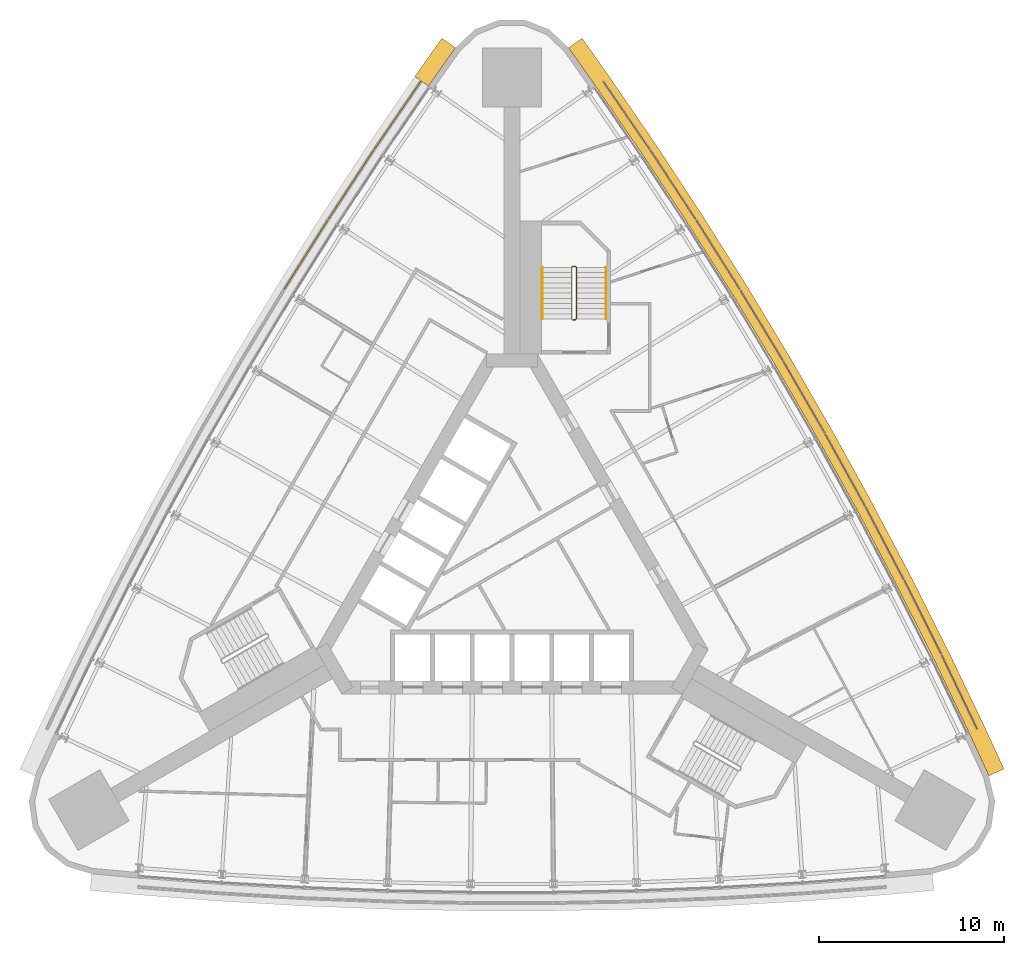
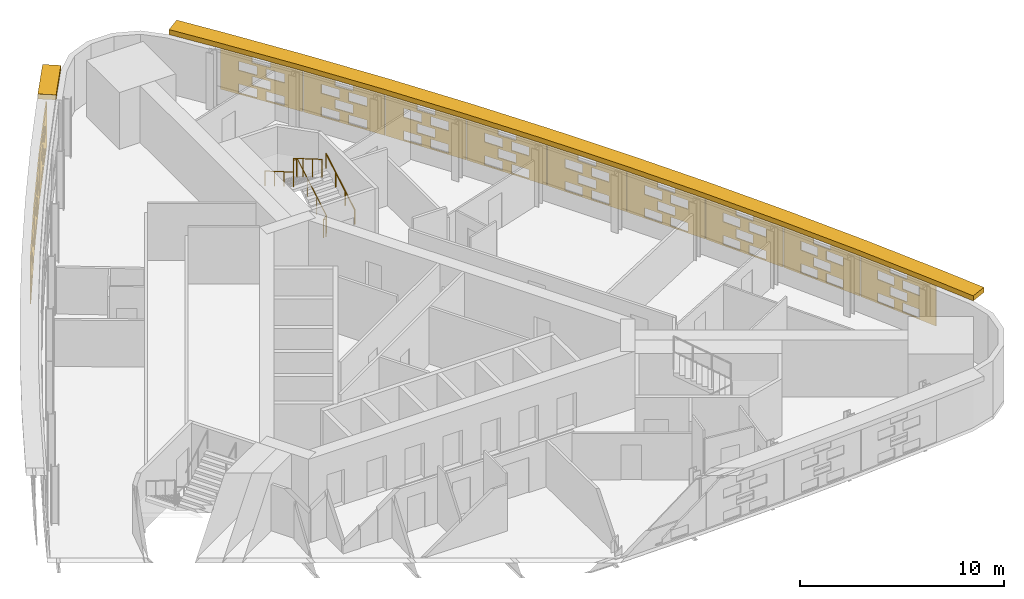
# One storey, part 14 of 14: 14 shading devices, 3 railings.
"""IFC4 building model written with IfcOpenShell, lengths in metres."""

from ifc_helpers import new_model, si_unit, direction, frame, origin, origin_2d, place, context, subcontext, project, spatial, polyline, circle, outline, extrude, material, material_profile, profile_set, type_object, element, save


model = new_model("IFC4")

# Units and contexts
model_context = context("Model", 3, precision=1e-05, world=origin(), true_north=direction((0.0, 1.0)))
body_context = subcontext(model_context, "Body", "Model", "MODEL_VIEW")
ifc_project = project(units=[si_unit("LENGTHUNIT", "METRE"), si_unit("AREAUNIT", "SQUARE_METRE"), si_unit("VOLUMEUNIT", "CUBIC_METRE"), si_unit("PLANEANGLEUNIT", "RADIAN"), si_unit("MASSUNIT", "GRAM", prefix="KILO")], contexts=[model_context])

# Site, building, storey
site_placement = place(None, origin())
site = spatial("IfcSite", under=ifc_project, at=site_placement, CompositionType="ELEMENT")
building_placement = place(site_placement, origin())
building = spatial("IfcBuilding", under=site, at=building_placement, Name="Noor Cloister Tower", CompositionType="ELEMENT")
storey_placement = place(building_placement, frame((0.0, 0.0, 72.60009765625)))
storey = spatial("IfcBuildingStorey", under=building, at=storey_placement, Name="L18", CompositionType="ELEMENT", Elevation=72.60009765625)

# Shading devices
ifc_material_1 = material(Name="Limestone", Category="masonry")
ifc_material_profile = material_profile(ifc_material_1, outline(polyline([(-2.22998046875, -1.35009765625), (2.22998046875, -1.35009765625), (2.22998046875, 1.35009765625), (-2.22998046875, 1.35009765625), (-2.22998046875, -1.35009765625)]), holes=[polyline([(-1.25, -1.282470703125), (-0.25, -1.282470703125), (-0.25, -0.742431640625), (-1.25, -0.742431640625), (-1.25, -1.282470703125)]), polyline([(0.25, -1.282470703125), (1.25, -1.282470703125), (1.25, -0.742431640625), (0.25, -0.742431640625), (0.25, -1.282470703125)]), polyline([(-0.5, -0.607421875), (0.5, -0.607421875), (0.5, -0.0673828125), (-0.5, -0.0673828125), (-0.5, -0.607421875)]), polyline([(-1.25, 0.0673828125), (-0.25, 0.0673828125), (-0.25, 0.607421875), (-1.25, 0.607421875), (-1.25, 0.0673828125)]), polyline([(0.25, 0.0673828125), (1.25, 0.0673828125), (1.25, 0.607421875), (0.25, 0.607421875), (0.25, 0.0673828125)]), polyline([(-0.5, 0.742431640625), (0.5, 0.742431640625), (0.5, 1.282470703125), (-0.5, 1.282470703125), (-0.5, 0.742431640625)])]), Name="Woven screen 28 percent open")
ifc_profile_set = profile_set([ifc_material_profile], Name="Limestone")
shading_device_type_1 = type_object("IfcShadingDeviceType", Name="SCREEN woven limestone 28 percent open", PredefinedType="USERDEFINED", material=ifc_profile_set)
for number, where, z_axis, x_axis, name in (
    (1, (-6.167236328125, 24.36376953125, 1.849853515625), (-0.825107815773, 0.564975302426, 0.0), (-0.564975302426, -0.825107815773, 0.0), "SCREEN L18 1"),
    (2, (-8.6796875, 20.620361328125, 1.849853515625), (-0.836396944636, 0.548124211291, 0.0), (-0.548124211291, -0.836396944636, 0.0), "SCREEN L18 2"),
    (3, (-11.11962890625, 16.8291015625, 1.849853515625), (-0.846164898331, 0.53292116193, 0.0), (-0.53292116193, -0.846164898331, 0.0), "SCREEN L18 3"),
):
    element("IfcShadingDevice", number, at=place(storey_placement, frame(where, z_axis=z_axis, x_axis=x_axis)), inside=storey, type_object=shading_device_type_1, Name=name, ObjectType="SCREEN", PredefinedType="USERDEFINED", context=body_context, shape_type="SweptSolid", body=[
        extrude(outline(polyline([(-2.22998046875, -1.35009765625), (2.22998046875, -1.35009765625), (2.22998046875, 1.35009765625), (-2.22998046875, 1.35009765625), (-2.22998046875, -1.35009765625)]), holes=[polyline([(-1.25, -1.282470703125), (-0.25, -1.282470703125), (-0.25, -0.742431640625), (-1.25, -0.742431640625), (-1.25, -1.282470703125)]), polyline([(0.25, -1.282470703125), (1.25, -1.282470703125), (1.25, -0.742431640625), (0.25, -0.742431640625), (0.25, -1.282470703125)]), polyline([(-0.5, -0.607421875), (0.5, -0.607421875), (0.5, -0.0673828125), (-0.5, -0.0673828125), (-0.5, -0.607421875)]), polyline([(-1.25, 0.0673828125), (-0.25, 0.0673828125), (-0.25, 0.607421875), (-1.25, 0.607421875), (-1.25, 0.0673828125)]), polyline([(0.25, 0.0673828125), (1.25, 0.0673828125), (1.25, 0.607421875), (0.25, 0.607421875), (0.25, 0.0673828125)]), polyline([(-0.5, 0.742431640625), (0.5, 0.742431640625), (0.5, 1.282470703125), (-0.5, 1.282470703125), (-0.5, 0.742431640625)])]), origin(), (0.0, 0.0, 1.0), 0.06005859375),
    ])
shading_device_1_placement = place(storey_placement, frame((24.183349609375, -6.8408203125, 1.849853515625), z_axis=(0.901650348454, 0.432465777991, 0.0), x_axis=(-0.432465777991, 0.901650348454, 0.0)))
element("IfcShadingDevice", 4, at=shading_device_1_placement, inside=storey, type_object=shading_device_type_1, Name="SCREEN L18 1", ObjectType="SCREEN", PredefinedType="USERDEFINED", context=body_context, shape_type="SweptSolid", body=[
    extrude(outline(polyline([(-2.22998046875, -1.35009765625), (2.22998046875, -1.35009765625), (2.22998046875, 1.35009765625), (-2.22998046875, 1.35009765625), (-2.22998046875, -1.35009765625)]), holes=[polyline([(-1.25, -1.282470703125), (-0.25, -1.282470703125), (-0.25, -0.742431640625), (-1.25, -0.742431640625), (-1.25, -1.282470703125)]), polyline([(0.25, -1.282470703125), (1.25, -1.282470703125), (1.25, -0.742431640625), (0.25, -0.742431640625), (0.25, -1.282470703125)]), polyline([(-0.5, -0.607421875), (0.5, -0.607421875), (0.5, -0.0673828125), (-0.5, -0.0673828125), (-0.5, -0.607421875)]), polyline([(-1.25, 0.0673828125), (-0.25, 0.0673828125), (-0.25, 0.607421875), (-1.25, 0.607421875), (-1.25, 0.0673828125)]), polyline([(0.25, 0.0673828125), (1.25, 0.0673828125), (1.25, 0.607421875), (0.25, 0.607421875), (0.25, 0.0673828125)]), polyline([(-0.5, 0.742431640625), (0.5, 0.742431640625), (0.5, 1.282470703125), (-0.5, 1.282470703125), (-0.5, 0.742431640625)])]), origin(), (0.0, 0.0, 1.0), 0.059814453125),
])
shading_device_2_placement = place(storey_placement, frame((22.197509765625, -2.793212890625, 1.849853515625), z_axis=(0.894427191, 0.4472135955, 0.0), x_axis=(-0.4472135955, 0.894427191, 0.0)))
element("IfcShadingDevice", 5, at=shading_device_2_placement, inside=storey, type_object=shading_device_type_1, Name="SCREEN L18 2", ObjectType="SCREEN", PredefinedType="USERDEFINED", context=body_context, shape_type="SweptSolid", body=[
    extrude(outline(polyline([(-2.22998046875, -1.35009765625), (2.22998046875, -1.35009765625), (2.22998046875, 1.35009765625), (-2.22998046875, 1.35009765625), (-2.22998046875, -1.35009765625)]), holes=[polyline([(-1.25, -1.282470703125), (-0.25, -1.282470703125), (-0.25, -0.742431640625), (-1.25, -0.742431640625), (-1.25, -1.282470703125)]), polyline([(0.25, -1.282470703125), (1.25, -1.282470703125), (1.25, -0.742431640625), (0.25, -0.742431640625), (0.25, -1.282470703125)]), polyline([(-0.5, -0.607421875), (0.5, -0.607421875), (0.5, -0.0673828125), (-0.5, -0.0673828125), (-0.5, -0.607421875)]), polyline([(-1.25, 0.0673828125), (-0.25, 0.0673828125), (-0.25, 0.607421875), (-1.25, 0.607421875), (-1.25, 0.0673828125)]), polyline([(0.25, 0.0673828125), (1.25, 0.0673828125), (1.25, 0.607421875), (0.25, 0.607421875), (0.25, 0.0673828125)]), polyline([(-0.5, 0.742431640625), (0.5, 0.742431640625), (0.5, 1.282470703125), (-0.5, 1.282470703125), (-0.5, 0.742431640625)])]), origin(), (0.0, 0.0, 1.0), 0.06005859375),
])
shading_device_3_placement = place(storey_placement, frame((20.13427734375, 1.21533203125, 1.849853515625), z_axis=(0.885271944608, 0.465073740486, 0.0), x_axis=(-0.465073740486, 0.885271944608, 0.0)))
element("IfcShadingDevice", 6, at=shading_device_3_placement, inside=storey, type_object=shading_device_type_1, Name="SCREEN L18 3", ObjectType="SCREEN", PredefinedType="USERDEFINED", context=body_context, shape_type="SweptSolid", body=[
    extrude(outline(polyline([(-2.22998046875, -1.35009765625), (2.22998046875, -1.35009765625), (2.22998046875, 1.35009765625), (-2.22998046875, 1.35009765625), (-2.22998046875, -1.35009765625)]), holes=[polyline([(-1.25, -1.282470703125), (-0.25, -1.282470703125), (-0.25, -0.742431640625), (-1.25, -0.742431640625), (-1.25, -1.282470703125)]), polyline([(0.25, -1.282470703125), (1.25, -1.282470703125), (1.25, -0.742431640625), (0.25, -0.742431640625), (0.25, -1.282470703125)]), polyline([(-0.5, -0.607421875), (0.5, -0.607421875), (0.5, -0.0673828125), (-0.5, -0.0673828125), (-0.5, -0.607421875)]), polyline([(-1.25, 0.0673828125), (-0.25, 0.0673828125), (-0.25, 0.607421875), (-1.25, 0.607421875), (-1.25, 0.0673828125)]), polyline([(0.25, 0.0673828125), (1.25, 0.0673828125), (1.25, 0.607421875), (0.25, 0.607421875), (0.25, 0.0673828125)]), polyline([(-0.5, 0.742431640625), (0.5, 0.742431640625), (0.5, 1.282470703125), (-0.5, 1.282470703125), (-0.5, 0.742431640625)])]), origin(), (0.0, 0.0, 1.0), 0.059814453125),
])
for number, where, z_axis, x_axis, name in (
    (7, (17.993896484375, 5.18310546875, 1.849853515625), (0.874923997532, 0.484260259099, 0.0), (-0.484260259099, 0.874923997532, 0.0), "SCREEN L18 4"),
    (8, (15.777587890625, 9.109130859375, 1.849853515625), (0.865982457891, 0.500074377092, 0.0), (-0.500074377092, 0.865982457891, 0.0), "SCREEN L18 5"),
):
    element("IfcShadingDevice", number, at=place(storey_placement, frame(where, z_axis=z_axis, x_axis=x_axis)), inside=storey, type_object=shading_device_type_1, Name=name, ObjectType="SCREEN", PredefinedType="USERDEFINED", context=body_context, shape_type="SweptSolid", body=[
        extrude(outline(polyline([(-2.22998046875, -1.35009765625), (2.22998046875, -1.35009765625), (2.22998046875, 1.35009765625), (-2.22998046875, 1.35009765625), (-2.22998046875, -1.35009765625)]), holes=[polyline([(-1.25, -1.282470703125), (-0.25, -1.282470703125), (-0.25, -0.742431640625), (-1.25, -0.742431640625), (-1.25, -1.282470703125)]), polyline([(0.25, -1.282470703125), (1.25, -1.282470703125), (1.25, -0.742431640625), (0.25, -0.742431640625), (0.25, -1.282470703125)]), polyline([(-0.5, -0.607421875), (0.5, -0.607421875), (0.5, -0.0673828125), (-0.5, -0.0673828125), (-0.5, -0.607421875)]), polyline([(-1.25, 0.0673828125), (-0.25, 0.0673828125), (-0.25, 0.607421875), (-1.25, 0.607421875), (-1.25, 0.0673828125)]), polyline([(0.25, 0.0673828125), (1.25, 0.0673828125), (1.25, 0.607421875), (0.25, 0.607421875), (0.25, 0.0673828125)]), polyline([(-0.5, 0.742431640625), (0.5, 0.742431640625), (0.5, 1.282470703125), (-0.5, 1.282470703125), (-0.5, 0.742431640625)])]), origin(), (0.0, 0.0, 1.0), 0.06005859375),
    ])
shading_device_4_placement = place(storey_placement, frame((13.48583984375, 12.99169921875, 1.849853515625), z_axis=(0.855690023312, 0.517488728384, 0.0), x_axis=(-0.517488728384, 0.855690023312, 0.0)))
element("IfcShadingDevice", 9, at=shading_device_4_placement, inside=storey, type_object=shading_device_type_1, Name="SCREEN L18 6", ObjectType="SCREEN", PredefinedType="USERDEFINED", context=body_context, shape_type="SweptSolid", body=[
    extrude(outline(polyline([(-2.22998046875, -1.35009765625), (2.22998046875, -1.35009765625), (2.22998046875, 1.35009765625), (-2.22998046875, 1.35009765625), (-2.22998046875, -1.35009765625)]), holes=[polyline([(-1.25, -1.282470703125), (-0.25, -1.282470703125), (-0.25, -0.742431640625), (-1.25, -0.742431640625), (-1.25, -1.282470703125)]), polyline([(0.25, -1.282470703125), (1.25, -1.282470703125), (1.25, -0.742431640625), (0.25, -0.742431640625), (0.25, -1.282470703125)]), polyline([(-0.5, -0.607421875), (0.5, -0.607421875), (0.5, -0.0673828125), (-0.5, -0.0673828125), (-0.5, -0.607421875)]), polyline([(-1.25, 0.0673828125), (-0.25, 0.0673828125), (-0.25, 0.607421875), (-1.25, 0.607421875), (-1.25, 0.0673828125)]), polyline([(0.25, 0.0673828125), (1.25, 0.0673828125), (1.25, 0.607421875), (0.25, 0.607421875), (0.25, 0.0673828125)]), polyline([(-0.5, 0.742431640625), (0.5, 0.742431640625), (0.5, 1.282470703125), (-0.5, 1.282470703125), (-0.5, 0.742431640625)])]), origin(), (0.0, 0.0, 1.0), 0.059814453125),
])
for number, where, z_axis, x_axis, name in (
    (10, (11.11962890625, 16.8291015625, 1.849853515625), (0.846164898331, 0.53292116193, 0.0), (-0.53292116193, 0.846164898331, 0.0), "SCREEN L18 7"),
    (11, (8.6796875, 20.620361328125, 1.849853515625), (0.836396944636, 0.548124211291, 0.0), (-0.548124211291, 0.836396944636, 0.0), "SCREEN L18 8"),
    (12, (6.167236328125, 24.36376953125, 1.849853515625), (0.825107815773, 0.564975302426, 0.0), (-0.564975302426, 0.825107815773, 0.0), "SCREEN L18 9"),
):
    element("IfcShadingDevice", number, at=place(storey_placement, frame(where, z_axis=z_axis, x_axis=x_axis)), inside=storey, type_object=shading_device_type_1, Name=name, ObjectType="SCREEN", PredefinedType="USERDEFINED", context=body_context, shape_type="SweptSolid", body=[
        extrude(outline(polyline([(-2.22998046875, -1.35009765625), (2.22998046875, -1.35009765625), (2.22998046875, 1.35009765625), (-2.22998046875, 1.35009765625), (-2.22998046875, -1.35009765625)]), holes=[polyline([(-1.25, -1.282470703125), (-0.25, -1.282470703125), (-0.25, -0.742431640625), (-1.25, -0.742431640625), (-1.25, -1.282470703125)]), polyline([(0.25, -1.282470703125), (1.25, -1.282470703125), (1.25, -0.742431640625), (0.25, -0.742431640625), (0.25, -1.282470703125)]), polyline([(-0.5, -0.607421875), (0.5, -0.607421875), (0.5, -0.0673828125), (-0.5, -0.0673828125), (-0.5, -0.607421875)]), polyline([(-1.25, 0.0673828125), (-0.25, 0.0673828125), (-0.25, 0.607421875), (-1.25, 0.607421875), (-1.25, 0.0673828125)]), polyline([(0.25, 0.0673828125), (1.25, 0.0673828125), (1.25, 0.607421875), (0.25, 0.607421875), (0.25, 0.0673828125)]), polyline([(-0.5, 0.742431640625), (0.5, 0.742431640625), (0.5, 1.282470703125), (-0.5, 1.282470703125), (-0.5, 0.742431640625)])]), origin(), (0.0, 0.0, 1.0), 0.06005859375),
    ])
ifc_material_2 = material(Name="Limestone", Category="masonry")
shading_device_type_2 = type_object("IfcShadingDeviceType", Name="SUNSHADE limestone band 900", PredefinedType="USERDEFINED", material=ifc_material_2)
shading_device_5_placement = place(storey_placement, frame((0.0, 0.0, 3.2998046875)))
element("IfcShadingDevice", 13, at=shading_device_5_placement, inside=storey, type_object=shading_device_type_2, Name="SUNSHADE L18 3", ObjectType="SUNSHADE", PredefinedType="USERDEFINED", context=body_context, shape_type="SweptSolid", body=[
    extrude(outline(polyline([(26.626708984375, -10.992431640625), (25.5634765625, -8.68212890625), (23.614013671875, -4.609375), (21.58544921875, -0.572998046875), (19.479248046875, 3.423095703125), (17.296630859375, 7.378173828125), (15.037841796875, 11.290283203125), (12.704345703125, 15.157958984375), (10.29638671875, 18.97998046875), (7.815185546875, 22.7548828125), (5.2626953125, 26.479736328125), (3.793701171875, 28.5556640625), (3.05908203125, 28.035888671875), (4.524169921875, 25.96533203125), (7.06787109375, 22.25341796875), (9.53955078125, 18.492919921875), (11.938232421875, 14.685546875), (14.262939453125, 10.832763671875), (16.5126953125, 6.935546875), (18.687255859375, 2.995849609375), (20.78515625, -0.985107421875), (22.805908203125, -5.005615234375), (24.748779296875, -9.064697265625), (25.809326171875, -11.36865234375), (26.626708984375, -10.992431640625)])), origin(), (0.0, 0.0, 1.0), 0.300048828125),
])
shading_device_6_placement = place(storey_placement, frame((0.0, 0.0, 3.2998046875)))
element("IfcShadingDevice", 14, at=shading_device_6_placement, inside=storey, type_object=shading_device_type_2, Name="SUNSHADE L18 4", ObjectType="SUNSHADE", PredefinedType="USERDEFINED", context=body_context, shape_type="SweptSolid", body=[
    extrude(outline(polyline([(-3.793701171875, 28.5556640625), (-5.2587890625, 26.4853515625), (-4.524169921875, 25.96533203125), (-3.05908203125, 28.035888671875), (-3.793701171875, 28.5556640625)])), origin(), (0.0, 0.0, 1.0), 0.300048828125),
])

# Railings
ifc_material_3 = material(Name="Stainless steel", Category="steel")
railing_type_1 = type_object("IfcRailingType", Name="Stair guard 1100", PredefinedType="GUARDRAIL", material=ifc_material_3)
railing_1_placement = place(storey_placement, frame((3.435546875, 13.306396484375, 0.0)))
element("IfcRailing", 15, at=railing_1_placement, inside=storey, type_object=railing_type_1, Name="Stair guard ST1 L18", PredefinedType="GUARDRAIL", context=body_context, shape_type="SweptSolid", body=[
    extrude(circle(Radius=0.02392578125, at=origin_2d()), frame((0.0, 0.0, 1.076171875), z_axis=(-1.0, 0.0, 0.0), x_axis=(0.0, -1.0, 0.0)), (0.0, 0.0, 1.0), 0.14990234375),
    extrude(circle(Radius=0.02392578125, at=origin_2d()), frame((-0.14990234375, 0.0, 1.076171875), z_axis=(0.759870394187, 0.190199549216, 0.621627795), x_axis=(-0.242814311512, 0.970072785993, 0.0)), (0.0, 0.0, 1.0), 0.26318359375),
    extrude(circle(Radius=0.02392578125, at=origin_2d()), frame((0.050048828125, 0.050048828125, 1.23974609375), z_axis=(0.0, 0.863393664356, 0.504530851732), x_axis=(-1.0, 0.0, 0.0)), (0.0, 0.0, 1.0), 3.2431640625),
    extrude(circle(Radius=0.02392578125, at=origin_2d()), frame((0.050048828125, 2.85009765625, 2.8759765625), z_axis=(-0.708833529934, 0.705375805398, 0.0), x_axis=(-0.705375805398, -0.708833529934, 0.0)), (0.0, 0.0, 1.0), 0.070556640625),
    extrude(circle(Radius=0.02392578125, at=origin_2d()), frame((0.0, 2.89990234375, 2.8759765625), z_axis=(-1.0, 0.0, 0.0), x_axis=(0.0, -1.0, 0.0)), (0.0, 0.0, 1.0), 0.14990234375),
    extrude(circle(Radius=0.02392578125, at=origin_2d()), frame((-0.14990234375, 2.89990234375, 2.8759765625), z_axis=(-0.280563532951, -0.279194930351, 0.91833234444), x_axis=(0.705375805398, -0.708833529934, 0.0)), (0.0, 0.0, 1.0), 0.178466796875),
    extrude(circle(Radius=0.02392578125, at=origin_2d()), frame((-0.199951171875, 2.85009765625, 3.03955078125), z_axis=(0.0, -0.863393664356, 0.504530851732), x_axis=(1.0, 0.0, 0.0)), (0.0, 0.0, 1.0), 3.2431640625),
    extrude(circle(Radius=0.02099609375, at=origin_2d()), origin(), (0.0, 0.0, 1.0), 1.052001953125),
    extrude(circle(Radius=0.02099609375, at=origin_2d()), frame((-0.14990234375, 0.0, 0.0)), (0.0, 0.0, 1.0), 1.052001953125),
    extrude(circle(Radius=0.02099609375, at=origin_2d()), frame((0.050048828125, 0.050048828125, 0.16357421875)), (0.0, 0.0, 1.0), 1.052001953125),
    extrude(circle(Radius=0.02099609375, at=origin_2d()), frame((0.050048828125, 0.9833984375, 0.708984375)), (0.0, 0.0, 1.0), 1.052001953125),
    extrude(circle(Radius=0.02099609375, at=origin_2d()), frame((0.050048828125, 1.916748046875, 1.25439453125)), (0.0, 0.0, 1.0), 1.052001953125),
    extrude(circle(Radius=0.02099609375, at=origin_2d()), frame((0.050048828125, 2.85009765625, 1.7998046875)), (0.0, 0.0, 1.0), 1.052001953125),
    extrude(circle(Radius=0.02099609375, at=origin_2d()), frame((0.0, 2.89990234375, 1.7998046875)), (0.0, 0.0, 1.0), 1.052001953125),
    extrude(circle(Radius=0.02099609375, at=origin_2d()), frame((-0.14990234375, 2.89990234375, 1.7998046875)), (0.0, 0.0, 1.0), 1.052001953125),
    extrude(circle(Radius=0.02099609375, at=origin_2d()), frame((-0.199951171875, 2.85009765625, 1.963623046875)), (0.0, 0.0, 1.0), 1.052001953125),
    extrude(circle(Radius=0.02099609375, at=origin_2d()), frame((-0.199951171875, 1.916748046875, 2.509033203125)), (0.0, 0.0, 1.0), 1.052001953125),
    extrude(circle(Radius=0.02099609375, at=origin_2d()), frame((-0.199951171875, 0.9833984375, 3.054443359375)), (0.0, 0.0, 1.0), 1.052001953125),
    extrude(circle(Radius=0.02099609375, at=origin_2d()), frame((-0.199951171875, 0.050048828125, 3.599853515625)), (0.0, 0.0, 1.0), 1.052001953125),
])
ifc_material_4 = material(Name="Stainless steel", Category="steel")
railing_type_2 = type_object("IfcRailingType", Name="Stair handrail 900", PredefinedType="HANDRAIL", material=ifc_material_4)
railing_2_placement = place(storey_placement, frame((5.085693359375, 13.3564453125, 0.16357421875)))
element("IfcRailing", 16, at=railing_2_placement, inside=storey, type_object=railing_type_2, Name="Stair handrail ST1 L18 1", PredefinedType="HANDRAIL", context=body_context, shape_type="SweptSolid", body=[
    extrude(circle(Radius=0.02392578125, at=origin_2d()), frame((0.0, 0.0, 0.8759765625), z_axis=(0.0, 0.863393664356, 0.504530851732), x_axis=(-1.0, 0.0, 0.0)), (0.0, 0.0, 1.0), 3.2431640625),
    extrude(circle(Radius=0.02099609375, at=origin_2d()), origin(), (0.0, 0.0, 1.0), 0.851806640625),
    extrude(circle(Radius=0.02099609375, at=origin_2d()), frame((0.0, 0.933349609375, 0.54541015625)), (0.0, 0.0, 1.0), 0.851806640625),
    extrude(circle(Radius=0.02099609375, at=origin_2d()), frame((0.0, 1.86669921875, 1.0908203125)), (0.0, 0.0, 1.0), 0.851806640625),
    extrude(circle(Radius=0.02099609375, at=origin_2d()), frame((0.0, 2.800048828125, 1.63623046875)), (0.0, 0.0, 1.0), 0.851806640625),
])
railing_3_placement = place(storey_placement, frame((1.6357421875, 16.156494140625, 1.963623046875)))
element("IfcRailing", 17, at=railing_3_placement, inside=storey, type_object=railing_type_2, Name="Stair handrail ST1 L18 2", PredefinedType="HANDRAIL", context=body_context, shape_type="SweptSolid", body=[
    extrude(circle(Radius=0.02392578125, at=origin_2d()), frame((0.0, 0.0, 0.8759765625), z_axis=(0.0, -0.863393664356, 0.504530851732), x_axis=(1.0, 0.0, 0.0)), (0.0, 0.0, 1.0), 3.2431640625),
    extrude(circle(Radius=0.02099609375, at=origin_2d()), origin(), (0.0, 0.0, 1.0), 0.851806640625),
    extrude(circle(Radius=0.02099609375, at=origin_2d()), frame((0.0, -0.933349609375, 0.54541015625)), (0.0, 0.0, 1.0), 0.851806640625),
    extrude(circle(Radius=0.02099609375, at=origin_2d()), frame((0.0, -1.86669921875, 1.0908203125)), (0.0, 0.0, 1.0), 0.851806640625),
    extrude(circle(Radius=0.02099609375, at=origin_2d()), frame((0.0, -2.800048828125, 1.63623046875)), (0.0, 0.0, 1.0), 0.851806640625),
])

save(model, "model.ifc")
